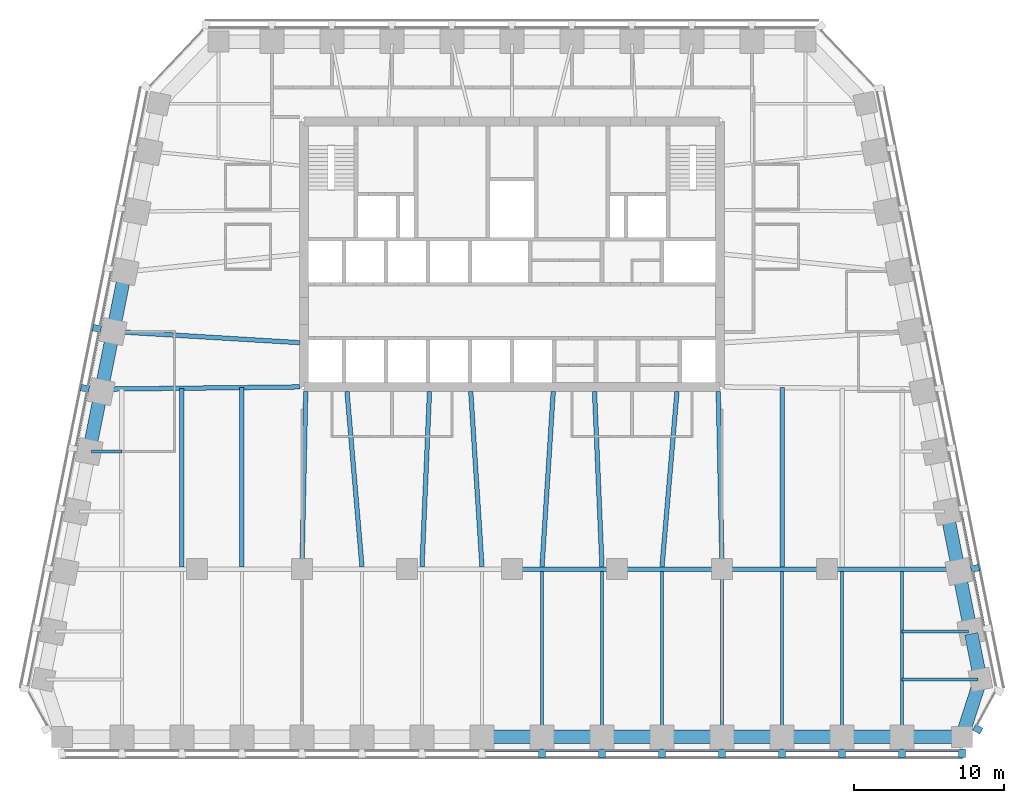
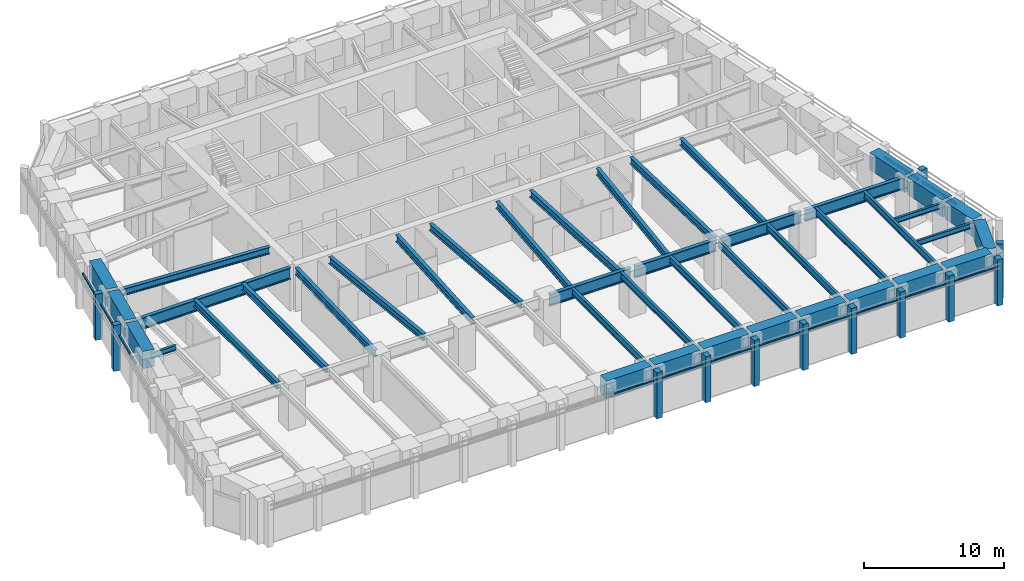
# One storey, part 2 of 10: 42 beams, 25 members, 4 elements without a shape of their own.
"""IFC4 building model written with IfcOpenShell, lengths in metres."""

from ifc_helpers import new_model, si_unit, direction, frame, origin, origin_2d, place, context, subcontext, project, spatial, rectangle, i_section, extrude, material, material_profile, profile_set, type_object, element, aggregate, save


model = new_model("IFC4")

# Units and contexts
model_context = context("Model", 3, precision=1e-05, world=origin(), true_north=direction((0.0, 1.0)))
body_context = subcontext(model_context, "Body", "Model", "MODEL_VIEW")
ifc_project = project(units=[si_unit("LENGTHUNIT", "METRE"), si_unit("AREAUNIT", "SQUARE_METRE"), si_unit("VOLUMEUNIT", "CUBIC_METRE"), si_unit("PLANEANGLEUNIT", "RADIAN"), si_unit("MASSUNIT", "GRAM", prefix="KILO")], contexts=[model_context])

# Site, building, storey
site_placement = place(None, origin())
site = spatial("IfcSite", under=ifc_project, at=site_placement, CompositionType="ELEMENT")
building_placement = place(site_placement, origin())
building = spatial("IfcBuilding", under=site, at=building_placement, Name="Isbrekke Arena Tower", CompositionType="ELEMENT")
storey_placement = place(building_placement, frame((0.0, 0.0, 218.0)))
storey = spatial("IfcBuildingStorey", under=building, at=storey_placement, Name="L50", CompositionType="ELEMENT", Elevation=218.0)

# Beams
ifc_material_1 = material(Name="Steel S355", Category="steel")
ifc_material_profile_1 = material_profile(ifc_material_1, i_section(OverallWidth=0.219970703125, OverallDepth=0.60009765625, WebThickness=0.011962890625, FlangeThickness=0.01904296875, FilletRadius=0.02392578125, at=origin_2d()), Name="IPE 600")
ifc_profile_set_1 = profile_set([ifc_material_profile_1], Name="Steel S355")
beam_type_1 = type_object("IfcBeamType", Name="B1 IPE 600", PredefinedType="BEAM", material=ifc_profile_set_1)
for number, where, z_axis, x_axis, name in (
    (1, (2.0, -17.02490234375, 3.550048828125), (0.0, 1.0, 0.0), (-1.0, 0.0, 0.0), "B1 beam S-S09 L50"),
    (2, (6.0, -17.02490234375, 3.550048828125), (0.0, 1.0, 0.0), (-1.0, 0.0, 0.0), "B1 beam S-S10 L50"),
    (3, (10.0, -17.02490234375, 3.550048828125), (0.0, 1.0, 0.0), (-1.0, 0.0, 0.0), "B1 beam S-S11 L50"),
):
    element("IfcBeam", number, at=place(storey_placement, frame(where, z_axis=z_axis, x_axis=x_axis)), inside=storey, type_object=beam_type_1, Name=name, PredefinedType="BEAM", context=body_context, shape_type="SweptSolid", body=[
        extrude(i_section(OverallWidth=0.219970703125, OverallDepth=0.60009765625, WebThickness=0.011962890625, FlangeThickness=0.01904296875, FilletRadius=0.02392578125, at=origin_2d()), origin(), (0.0, 0.0, 1.0), 10.8740234375),
    ])
beam_1_placement = place(storey_placement, frame((14.0, -17.02490234375, 3.550048828125), z_axis=(0.0, 1.0, 0.0), x_axis=(-1.0, 0.0, 0.0)))
element("IfcBeam", 4, at=beam_1_placement, inside=storey, type_object=beam_type_1, Name="B1 beam S-S12 L50", PredefinedType="BEAM", context=body_context, shape_type="SweptSolid", body=[
    extrude(i_section(OverallWidth=0.219970703125, OverallDepth=0.60009765625, WebThickness=0.011962890625, FlangeThickness=0.01904296875, FilletRadius=0.02392578125, at=origin_2d()), origin(), (0.0, 0.0, 1.0), 10.875),
])
for number, where, z_axis, x_axis, name in (
    (5, (18.0, -17.02490234375, 3.550048828125), (0.0, 1.0, 0.0), (-1.0, 0.0, 0.0), "B1 beam S-S13 L50"),
    (6, (22.0, -17.02490234375, 3.550048828125), (0.0, 1.0, 0.0), (-1.0, 0.0, 0.0), "B1 beam S-S14 L50"),
    (7, (26.0, -17.02490234375, 3.550048828125), (0.0, 1.0, 0.0), (-1.0, 0.0, 0.0), "B1 beam S-S15 L50"),
):
    element("IfcBeam", number, at=place(storey_placement, frame(where, z_axis=z_axis, x_axis=x_axis)), inside=storey, type_object=beam_type_1, Name=name, PredefinedType="BEAM", context=body_context, shape_type="SweptSolid", body=[
        extrude(i_section(OverallWidth=0.219970703125, OverallDepth=0.60009765625, WebThickness=0.011962890625, FlangeThickness=0.01904296875, FilletRadius=0.02392578125, at=origin_2d()), origin(), (0.0, 0.0, 1.0), 10.8740234375),
    ])
ifc_material_2 = material(Name="Steel S355", Category="steel")
ifc_material_profile_2 = material_profile(ifc_material_2, i_section(OverallWidth=0.18994140625, OverallDepth=0.449951171875, WebThickness=0.009521484375, FlangeThickness=0.0146484375, FilletRadius=0.02099609375, at=origin_2d()), Name="IPE 450")
ifc_profile_set_2 = profile_set([ifc_material_profile_2], Name="Steel S355")
beam_type_2 = type_object("IfcBeamType", Name="B2 IPE 450", PredefinedType="BEAM", material=ifc_profile_set_2)
beam_2_placement = place(storey_placement, frame((31.079345703125, -13.352783203125, 3.625), z_axis=(-1.0, 0.0, 0.0), x_axis=(0.0, -1.0, 0.0)))
element("IfcBeam", 8, at=beam_2_placement, inside=storey, type_object=beam_type_2, Name="B2 beam E-E01 L50", PredefinedType="BEAM", context=body_context, shape_type="SweptSolid", body=[
    extrude(i_section(OverallWidth=0.18994140625, OverallDepth=0.449951171875, WebThickness=0.009521484375, FlangeThickness=0.0146484375, FilletRadius=0.02099609375, at=origin_2d()), origin(), (0.0, 0.0, 1.0), 5.079345703125),
])
beam_3_placement = place(storey_placement, frame((30.44091796875, -10.161865234375, 3.625), z_axis=(-1.0, 0.0, 0.0), x_axis=(0.0, -1.0, 0.0)))
element("IfcBeam", 9, at=beam_3_placement, inside=storey, type_object=beam_type_2, Name="B2 beam E-E02 L50", PredefinedType="BEAM", context=body_context, shape_type="SweptSolid", body=[
    extrude(i_section(OverallWidth=0.18994140625, OverallDepth=0.449951171875, WebThickness=0.009521484375, FlangeThickness=0.0146484375, FilletRadius=0.02099609375, at=origin_2d()), origin(), (0.0, 0.0, 1.0), 4.44091796875),
])
beam_4_placement = place(storey_placement, frame((-28.041015625, 1.838134765625, 3.625), z_axis=(1.0, 0.0, 0.0), x_axis=(0.0, 1.0, 0.0)))
element("IfcBeam", 10, at=beam_4_placement, inside=storey, type_object=beam_type_2, Name="B2 beam E-W07 L50", PredefinedType="BEAM", context=body_context, shape_type="SweptSolid", body=[
    extrude(i_section(OverallWidth=0.18994140625, OverallDepth=0.449951171875, WebThickness=0.009521484375, FlangeThickness=0.0146484375, FilletRadius=0.02099609375, at=origin_2d()), origin(), (0.0, 0.0, 1.0), 2.041015625),
])
ifc_material_3 = material(Name="Steel S355", Category="steel")
ifc_material_profile_3 = material_profile(ifc_material_3, i_section(OverallWidth=0.300048828125, OverallDepth=0.60009765625, WebThickness=0.015380859375, FlangeThickness=0.030029296875, FilletRadius=0.027099609375, at=origin_2d()), Name="HEB 600")
ifc_profile_set_3 = profile_set([ifc_material_profile_3], Name="Steel S355")
beam_type_3 = type_object("IfcBeamType", Name="B7 HEB 600", PredefinedType="BEAM", material=ifc_profile_set_3)
beam_5_placement = place(storey_placement, frame((-22.0, -5.84912109375, 3.550048828125), z_axis=(0.0, 1.0, 0.0), x_axis=(-1.0, 0.0, 0.0)))
element("IfcBeam", 11, at=beam_5_placement, inside=storey, type_object=beam_type_3, Name="B7 beam C-M02 L50", PredefinedType="BEAM", context=body_context, shape_type="SweptSolid", body=[
    extrude(i_section(OverallWidth=0.300048828125, OverallDepth=0.60009765625, WebThickness=0.015380859375, FlangeThickness=0.030029296875, FilletRadius=0.027099609375, at=origin_2d()), origin(), (0.0, 0.0, 1.0), 11.91015625),
])
beam_6_placement = place(storey_placement, frame((-18.0, -5.84912109375, 3.550048828125), z_axis=(0.0, 1.0, 0.0), x_axis=(-1.0, 0.0, 0.0)))
element("IfcBeam", 12, at=beam_6_placement, inside=storey, type_object=beam_type_3, Name="B7 beam C-M03 L50", PredefinedType="BEAM", context=body_context, shape_type="SweptSolid", body=[
    extrude(i_section(OverallWidth=0.300048828125, OverallDepth=0.60009765625, WebThickness=0.015380859375, FlangeThickness=0.030029296875, FilletRadius=0.027099609375, at=origin_2d()), origin(), (0.0, 0.0, 1.0), 11.95556640625),
])
beam_7_placement = place(storey_placement, frame((-14.0, -5.8466796875, 3.550048828125), z_axis=(0.021368528218, 0.999771666933, 0.0), x_axis=(-0.999771666933, 0.021368528218, 0.0)))
element("IfcBeam", 13, at=beam_7_placement, inside=storey, type_object=beam_type_3, Name="B7 beam C-M04 L50", PredefinedType="BEAM", context=body_context, shape_type="SweptSolid", body=[
    extrude(i_section(OverallWidth=0.300048828125, OverallDepth=0.60009765625, WebThickness=0.015380859375, FlangeThickness=0.030029296875, FilletRadius=0.027099609375, at=origin_2d()), origin(), (0.0, 0.0, 1.0), 11.699462890625),
])
beam_8_placement = place(storey_placement, frame((-10.0009765625, -5.836181640625, 3.550048828125), z_axis=(-0.085176202372, 0.996365903948, 0.0), x_axis=(-0.996365903948, -0.085176202372, 0.0)))
element("IfcBeam", 14, at=beam_8_placement, inside=storey, type_object=beam_type_3, Name="B7 beam C-M05 L50", PredefinedType="BEAM", context=body_context, shape_type="SweptSolid", body=[
    extrude(i_section(OverallWidth=0.300048828125, OverallDepth=0.60009765625, WebThickness=0.015380859375, FlangeThickness=0.030029296875, FilletRadius=0.027099609375, at=origin_2d()), origin(), (0.0, 0.0, 1.0), 11.72900390625),
])
beam_9_placement = place(storey_placement, frame((-5.999755859375, -5.842529296875, 3.550048828125), z_axis=(0.042702124015, 0.999087848292, 0.0), x_axis=(-0.999087848292, 0.042702124015, 0.0)))
element("IfcBeam", 15, at=beam_9_placement, inside=storey, type_object=beam_type_3, Name="B7 beam C-M06 L50", PredefinedType="BEAM", context=body_context, shape_type="SweptSolid", body=[
    extrude(i_section(OverallWidth=0.300048828125, OverallDepth=0.60009765625, WebThickness=0.015380859375, FlangeThickness=0.030029296875, FilletRadius=0.027099609375, at=origin_2d()), origin(), (0.0, 0.0, 1.0), 11.703369140625),
])
for number, where, z_axis, x_axis, name in (
    (16, (-2.000732421875, -5.83935546875, 3.550048828125), (-0.063966475255, 0.997952047968, 0.0), (-0.997952047968, -0.063966475255, 0.0), "B7 beam C-M07 L50"),
    (17, (2.000732421875, -5.83935546875, 3.550048828125), (0.063966475255, 0.997952047968, 0.0), (-0.997952047968, 0.063966475255, 0.0), "B7 beam C-M08 L50"),
):
    element("IfcBeam", number, at=place(storey_placement, frame(where, z_axis=z_axis, x_axis=x_axis)), inside=storey, type_object=beam_type_3, Name=name, PredefinedType="BEAM", context=body_context, shape_type="SweptSolid", body=[
        extrude(i_section(OverallWidth=0.300048828125, OverallDepth=0.60009765625, WebThickness=0.015380859375, FlangeThickness=0.030029296875, FilletRadius=0.027099609375, at=origin_2d()), origin(), (0.0, 0.0, 1.0), 11.71337890625),
    ])
beam_10_placement = place(storey_placement, frame((5.999755859375, -5.842529296875, 3.550048828125), z_axis=(-0.042702124015, 0.999087848292, 0.0), x_axis=(-0.999087848292, -0.042702124015, 0.0)))
element("IfcBeam", 18, at=beam_10_placement, inside=storey, type_object=beam_type_3, Name="B7 beam C-M09 L50", PredefinedType="BEAM", context=body_context, shape_type="SweptSolid", body=[
    extrude(i_section(OverallWidth=0.300048828125, OverallDepth=0.60009765625, WebThickness=0.015380859375, FlangeThickness=0.030029296875, FilletRadius=0.027099609375, at=origin_2d()), origin(), (0.0, 0.0, 1.0), 11.703369140625),
])
beam_11_placement = place(storey_placement, frame((10.0009765625, -5.836181640625, 3.550048828125), z_axis=(0.085176202372, 0.996365903948, 0.0), x_axis=(-0.996365903948, 0.085176202372, 0.0)))
element("IfcBeam", 19, at=beam_11_placement, inside=storey, type_object=beam_type_3, Name="B7 beam C-M10 L50", PredefinedType="BEAM", context=body_context, shape_type="SweptSolid", body=[
    extrude(i_section(OverallWidth=0.300048828125, OverallDepth=0.60009765625, WebThickness=0.015380859375, FlangeThickness=0.030029296875, FilletRadius=0.027099609375, at=origin_2d()), origin(), (0.0, 0.0, 1.0), 11.72900390625),
])
beam_12_placement = place(storey_placement, frame((14.0, -5.8466796875, 3.550048828125), z_axis=(-0.021368528218, 0.999771666933, 0.0), x_axis=(-0.999771666933, -0.021368528218, 0.0)))
element("IfcBeam", 20, at=beam_12_placement, inside=storey, type_object=beam_type_3, Name="B7 beam C-M11 L50", PredefinedType="BEAM", context=body_context, shape_type="SweptSolid", body=[
    extrude(i_section(OverallWidth=0.300048828125, OverallDepth=0.60009765625, WebThickness=0.015380859375, FlangeThickness=0.030029296875, FilletRadius=0.027099609375, at=origin_2d()), origin(), (0.0, 0.0, 1.0), 11.699462890625),
])
beam_13_placement = place(storey_placement, frame((18.0, -5.84912109375, 3.550048828125), z_axis=(0.0, 1.0, 0.0), x_axis=(-1.0, 0.0, 0.0)))
element("IfcBeam", 21, at=beam_13_placement, inside=storey, type_object=beam_type_3, Name="B7 beam C-M12 L50", PredefinedType="BEAM", context=body_context, shape_type="SweptSolid", body=[
    extrude(i_section(OverallWidth=0.300048828125, OverallDepth=0.60009765625, WebThickness=0.015380859375, FlangeThickness=0.030029296875, FilletRadius=0.027099609375, at=origin_2d()), origin(), (0.0, 0.0, 1.0), 11.95556640625),
])
beam_14_placement = place(storey_placement, frame((-26.43212890625, 9.837646484375, 3.550048828125), z_axis=(0.998201854902, -0.059942112659, 0.0), x_axis=(0.059942112659, 0.998201854902, 0.0)))
element("IfcBeam", 22, at=beam_14_placement, inside=storey, type_object=beam_type_3, Name="B7 beam E-W05 L50", PredefinedType="BEAM", context=body_context, shape_type="SweptSolid", body=[
    extrude(i_section(OverallWidth=0.300048828125, OverallDepth=0.60009765625, WebThickness=0.015380859375, FlangeThickness=0.030029296875, FilletRadius=0.027099609375, at=origin_2d()), origin(), (0.0, 0.0, 1.0), 12.304443359375),
])

# Curtain wall, members
ifc_material_4 = material(Name="Glazed aluminium curtain wall", Category="aluminium")
curtain_wall_type = type_object("IfcCurtainWallType", Name="CWH TOWER CURTAIN WALL HIGH ZONE", PredefinedType="USERDEFINED", material=ifc_material_4)
curtain_wall_1_placement = place(storey_placement, origin())
curtain_wall_1 = element("IfcCurtainWall", 23, at=curtain_wall_1_placement, inside=storey, type_object=curtain_wall_type, Name="CWH curtain wall L50-S", ObjectType="TOWER CURTAIN WALL HIGH ZONE", PredefinedType="USERDEFINED")
ifc_material_5 = material(Name="Aluminium mullion, pale brick slip cladding", Category="masonry")
ifc_material_profile_4 = material_profile(ifc_material_5, rectangle(XDim=0.449951171875, YDim=0.550048828125, at=origin_2d()), Name="PIER 450X550")
ifc_profile_set_4 = profile_set([ifc_material_profile_4], Name="Aluminium mullion, pale brick slip cladding")
member_type_1 = type_object("IfcMemberType", Name="CWH-M PIER MULLION 450 x 550", PredefinedType="MULLION", material=ifc_profile_set_4)
member_1_placement = place(storey_placement, frame((2.0, -18.27490234375, 0.0), z_axis=(0.0, 0.0, 1.0), x_axis=(1.0, 0.0, 0.0)))
member_1 = element("IfcMember", 24, at=member_1_placement, type_object=member_type_1, Name="CWH-M mullion 9", PredefinedType="MULLION", context=body_context, shape_type="SweptSolid", body=[
    extrude(rectangle(XDim=0.449951171875, YDim=0.550048828125, at=origin_2d()), origin(), (0.0, 0.0, 1.0), 4.0),
])
member_2_placement = place(storey_placement, frame((6.0, -18.27490234375, 0.0), z_axis=(0.0, 0.0, 1.0), x_axis=(1.0, 0.0, 0.0)))
member_2 = element("IfcMember", 25, at=member_2_placement, type_object=member_type_1, Name="CWH-M mullion 10", PredefinedType="MULLION", context=body_context, shape_type="SweptSolid", body=[
    extrude(rectangle(XDim=0.449951171875, YDim=0.550048828125, at=origin_2d()), origin(), (0.0, 0.0, 1.0), 4.0),
])
member_3_placement = place(storey_placement, frame((10.0, -18.27490234375, 0.0), z_axis=(0.0, 0.0, 1.0), x_axis=(1.0, 0.0, 0.0)))
member_3 = element("IfcMember", 26, at=member_3_placement, type_object=member_type_1, Name="CWH-M mullion 11", PredefinedType="MULLION", context=body_context, shape_type="SweptSolid", body=[
    extrude(rectangle(XDim=0.449951171875, YDim=0.550048828125, at=origin_2d()), origin(), (0.0, 0.0, 1.0), 4.0),
])
member_4_placement = place(storey_placement, frame((14.0, -18.27490234375, 0.0), z_axis=(0.0, 0.0, 1.0), x_axis=(1.0, 0.0, 0.0)))
member_4 = element("IfcMember", 27, at=member_4_placement, type_object=member_type_1, Name="CWH-M mullion 12", PredefinedType="MULLION", context=body_context, shape_type="SweptSolid", body=[
    extrude(rectangle(XDim=0.449951171875, YDim=0.550048828125, at=origin_2d()), origin(), (0.0, 0.0, 1.0), 4.0),
])
member_5_placement = place(storey_placement, frame((18.0, -18.27490234375, 0.0), z_axis=(0.0, 0.0, 1.0), x_axis=(1.0, 0.0, 0.0)))
member_5 = element("IfcMember", 28, at=member_5_placement, type_object=member_type_1, Name="CWH-M mullion 13", PredefinedType="MULLION", context=body_context, shape_type="SweptSolid", body=[
    extrude(rectangle(XDim=0.449951171875, YDim=0.550048828125, at=origin_2d()), origin(), (0.0, 0.0, 1.0), 4.0),
])
member_6_placement = place(storey_placement, frame((22.0, -18.27490234375, 0.0), z_axis=(0.0, 0.0, 1.0), x_axis=(1.0, 0.0, 0.0)))
member_6 = element("IfcMember", 29, at=member_6_placement, type_object=member_type_1, Name="CWH-M mullion 14", PredefinedType="MULLION", context=body_context, shape_type="SweptSolid", body=[
    extrude(rectangle(XDim=0.449951171875, YDim=0.550048828125, at=origin_2d()), origin(), (0.0, 0.0, 1.0), 4.0),
])
member_7_placement = place(storey_placement, frame((26.0, -18.27490234375, 0.0), z_axis=(0.0, 0.0, 1.0), x_axis=(1.0, 0.0, 0.0)))
member_7 = element("IfcMember", 30, at=member_7_placement, type_object=member_type_1, Name="CWH-M mullion 15", PredefinedType="MULLION", context=body_context, shape_type="SweptSolid", body=[
    extrude(rectangle(XDim=0.449951171875, YDim=0.550048828125, at=origin_2d()), origin(), (0.0, 0.0, 1.0), 4.0),
])
member_8_placement = place(storey_placement, frame((30.0, -18.27490234375, 0.0), z_axis=(0.0, 0.0, 1.0), x_axis=(1.0, 0.0, 0.0)))
member_8 = element("IfcMember", 31, at=member_8_placement, type_object=member_type_1, Name="CWH-M mullion 16", PredefinedType="MULLION", context=body_context, shape_type="SweptSolid", body=[
    extrude(rectangle(XDim=0.449951171875, YDim=0.550048828125, at=origin_2d()), origin(), (0.0, 0.0, 1.0), 4.0),
])

# Curtain wall, member
curtain_wall_2_placement = place(storey_placement, origin())
curtain_wall_2 = element("IfcCurtainWall", 32, at=curtain_wall_2_placement, inside=storey, type_object=curtain_wall_type, Name="CWH curtain wall L50-SE", ObjectType="TOWER CURTAIN WALL HIGH ZONE", PredefinedType="USERDEFINED")
member_9_placement = place(storey_placement, frame((31.047119140625, -16.666748046875, 0.0), z_axis=(0.0, 0.0, 1.0), x_axis=(0.481918749773, 0.876215908676, 0.0)))
member_9 = element("IfcMember", 33, at=member_9_placement, type_object=member_type_1, Name="CWH-M mullion 1", PredefinedType="MULLION", context=body_context, shape_type="SweptSolid", body=[
    extrude(rectangle(XDim=0.449951171875, YDim=0.550048828125, at=origin_2d()), origin(), (0.0, 0.0, 1.0), 4.0),
])
aggregate(curtain_wall_2, [member_9])

curtain_wall_3_placement = place(storey_placement, origin())
curtain_wall_3 = element("IfcCurtainWall", 34, at=curtain_wall_3_placement, inside=storey, type_object=curtain_wall_type, Name="CWH curtain wall L50-E", ObjectType="TOWER CURTAIN WALL HIGH ZONE", PredefinedType="USERDEFINED")
member_10_placement = place(storey_placement, frame((30.86962890625, -5.946044921875, 0.0), z_axis=(0.0, 0.0, 1.0), x_axis=(-0.196116135138, 0.980580675691, 0.0)))
member_10 = element("IfcMember", 35, at=member_10_placement, type_object=member_type_1, Name="CWH-M mullion 2", PredefinedType="MULLION", context=body_context, shape_type="SweptSolid", body=[
    extrude(rectangle(XDim=0.449951171875, YDim=0.550048828125, at=origin_2d()), origin(), (0.0, 0.0, 1.0), 4.0),
])

# Curtain wall, members
curtain_wall_4_placement = place(storey_placement, origin())
curtain_wall_4 = element("IfcCurtainWall", 36, at=curtain_wall_4_placement, inside=storey, type_object=curtain_wall_type, Name="CWH curtain wall L50-W", ObjectType="TOWER CURTAIN WALL HIGH ZONE", PredefinedType="USERDEFINED")
member_11_placement = place(storey_placement, frame((-27.669677734375, 10.053955078125, 0.0), z_axis=(0.0, 0.0, 1.0), x_axis=(-0.196116135138, -0.980580675691, 0.0)))
member_11 = element("IfcMember", 37, at=member_11_placement, type_object=member_type_1, Name="CWH-M mullion 4", PredefinedType="MULLION", context=body_context, shape_type="SweptSolid", body=[
    extrude(rectangle(XDim=0.449951171875, YDim=0.550048828125, at=origin_2d()), origin(), (0.0, 0.0, 1.0), 4.0),
])
member_12_placement = place(storey_placement, frame((-28.4697265625, 6.053955078125, 0.0), z_axis=(0.0, 0.0, 1.0), x_axis=(-0.196116135138, -0.980580675691, 0.0)))
member_12 = element("IfcMember", 38, at=member_12_placement, type_object=member_type_1, Name="CWH-M mullion 5", PredefinedType="MULLION", context=body_context, shape_type="SweptSolid", body=[
    extrude(rectangle(XDim=0.449951171875, YDim=0.550048828125, at=origin_2d()), origin(), (0.0, 0.0, 1.0), 4.0),
])

# Member
ifc_material_6 = material(Name="Aluminium transom", Category="aluminium")
ifc_material_profile_5 = material_profile(ifc_material_6, rectangle(XDim=0.1201171875, YDim=0.199951171875, at=origin_2d()), Name="TRANSOM 120X200")
ifc_profile_set_5 = profile_set([ifc_material_profile_5], Name="Aluminium transom")
member_type_2 = type_object("IfcMemberType", Name="CWH-T TRANSOM 120 x 200", PredefinedType="USERDEFINED", material=ifc_profile_set_5)
member_13_placement = place(storey_placement, frame((-1.77490234375, -18.10009765625, 3.0), z_axis=(1.0, 0.0, 0.0), x_axis=(0.0, 1.0, 0.0)))
member_13 = element("IfcMember", 39, at=member_13_placement, type_object=member_type_2, Name="CWH-T transom 8", ObjectType="TRANSOM", PredefinedType="USERDEFINED", context=body_context, shape_type="SweptSolid", body=[
    extrude(rectangle(XDim=0.1201171875, YDim=0.199951171875, at=origin_2d()), origin(), (0.0, 0.0, 1.0), 3.5498046875),
])

member_14_placement = place(storey_placement, frame((2.22509765625, -18.10009765625, 3.0), z_axis=(1.0, 0.0, 0.0), x_axis=(0.0, 1.0, 0.0)))
member_14 = element("IfcMember", 40, at=member_14_placement, type_object=member_type_2, Name="CWH-T transom 9", ObjectType="TRANSOM", PredefinedType="USERDEFINED", context=body_context, shape_type="SweptSolid", body=[
    extrude(rectangle(XDim=0.1201171875, YDim=0.199951171875, at=origin_2d()), origin(), (0.0, 0.0, 1.0), 3.5498046875),
])

member_15_placement = place(storey_placement, frame((6.22509765625, -18.10009765625, 3.0), z_axis=(1.0, 0.0, 0.0), x_axis=(0.0, 1.0, 0.0)))
member_15 = element("IfcMember", 41, at=member_15_placement, type_object=member_type_2, Name="CWH-T transom 10", ObjectType="TRANSOM", PredefinedType="USERDEFINED", context=body_context, shape_type="SweptSolid", body=[
    extrude(rectangle(XDim=0.1201171875, YDim=0.199951171875, at=origin_2d()), origin(), (0.0, 0.0, 1.0), 3.5498046875),
])

member_16_placement = place(storey_placement, frame((10.22509765625, -18.10009765625, 3.0), z_axis=(1.0, 0.0, 0.0), x_axis=(0.0, 1.0, 0.0)))
member_16 = element("IfcMember", 42, at=member_16_placement, type_object=member_type_2, Name="CWH-T transom 11", ObjectType="TRANSOM", PredefinedType="USERDEFINED", context=body_context, shape_type="SweptSolid", body=[
    extrude(rectangle(XDim=0.1201171875, YDim=0.199951171875, at=origin_2d()), origin(), (0.0, 0.0, 1.0), 3.5498046875),
])

member_17_placement = place(storey_placement, frame((14.22509765625, -18.10009765625, 3.0), z_axis=(1.0, 0.0, 0.0), x_axis=(0.0, 1.0, 0.0)))
member_17 = element("IfcMember", 43, at=member_17_placement, type_object=member_type_2, Name="CWH-T transom 12", ObjectType="TRANSOM", PredefinedType="USERDEFINED", context=body_context, shape_type="SweptSolid", body=[
    extrude(rectangle(XDim=0.1201171875, YDim=0.199951171875, at=origin_2d()), origin(), (0.0, 0.0, 1.0), 3.5498046875),
])

member_18_placement = place(storey_placement, frame((18.22509765625, -18.10009765625, 3.0), z_axis=(1.0, 0.0, 0.0), x_axis=(0.0, 1.0, 0.0)))
member_18 = element("IfcMember", 44, at=member_18_placement, type_object=member_type_2, Name="CWH-T transom 13", ObjectType="TRANSOM", PredefinedType="USERDEFINED", context=body_context, shape_type="SweptSolid", body=[
    extrude(rectangle(XDim=0.1201171875, YDim=0.199951171875, at=origin_2d()), origin(), (0.0, 0.0, 1.0), 3.5498046875),
])

member_19_placement = place(storey_placement, frame((22.22509765625, -18.10009765625, 3.0), z_axis=(1.0, 0.0, 0.0), x_axis=(0.0, 1.0, 0.0)))
member_19 = element("IfcMember", 45, at=member_19_placement, type_object=member_type_2, Name="CWH-T transom 14", ObjectType="TRANSOM", PredefinedType="USERDEFINED", context=body_context, shape_type="SweptSolid", body=[
    extrude(rectangle(XDim=0.1201171875, YDim=0.199951171875, at=origin_2d()), origin(), (0.0, 0.0, 1.0), 3.5498046875),
])

member_20_placement = place(storey_placement, frame((26.22509765625, -18.10009765625, 3.0), z_axis=(1.0, 0.0, 0.0), x_axis=(0.0, 1.0, 0.0)))
member_20 = element("IfcMember", 46, at=member_20_placement, type_object=member_type_2, Name="CWH-T transom 15", ObjectType="TRANSOM", PredefinedType="USERDEFINED", context=body_context, shape_type="SweptSolid", body=[
    extrude(rectangle(XDim=0.1201171875, YDim=0.199951171875, at=origin_2d()), origin(), (0.0, 0.0, 1.0), 3.5498046875),
])

aggregate(curtain_wall_1, [member_1, member_2, member_3, member_4, member_5, member_6, member_7, member_8, member_13, member_14, member_15, member_16, member_17, member_18, member_19, member_20])

member_21_placement = place(storey_placement, frame((31.453857421875, -9.759765625, 3.0), z_axis=(-0.196090262229, 0.980585849918, 0.0), x_axis=(-0.980585849918, -0.196090262229, 0.0)))
member_21 = element("IfcMember", 47, at=member_21_placement, type_object=member_type_2, Name="CWH-T transom 2", ObjectType="TRANSOM", PredefinedType="USERDEFINED", context=body_context, shape_type="SweptSolid", body=[
    extrude(rectangle(XDim=0.1201171875, YDim=0.199951171875, at=origin_2d()), origin(), (0.0, 0.0, 1.0), 3.62939453125),
])

member_22_placement = place(storey_placement, frame((30.654052734375, -5.759765625, 3.0), z_axis=(-0.196154943734, 0.980572913173, 0.0), x_axis=(-0.980572913173, -0.196154943734, 0.0)))
member_22 = element("IfcMember", 48, at=member_22_placement, type_object=member_type_2, Name="CWH-T transom 3", ObjectType="TRANSOM", PredefinedType="USERDEFINED", context=body_context, shape_type="SweptSolid", body=[
    extrude(rectangle(XDim=0.1201171875, YDim=0.199951171875, at=origin_2d()), origin(), (0.0, 0.0, 1.0), 3.62939453125),
])

aggregate(curtain_wall_3, [member_10, member_21, member_22])

member_23_placement = place(storey_placement, frame((-26.7421875, 13.799072265625, 3.0), z_axis=(-0.196090262229, -0.980585849918, 0.0), x_axis=(0.980585849918, -0.196090262229, 0.0)))
member_23 = element("IfcMember", 49, at=member_23_placement, type_object=member_type_2, Name="CWH-T transom 4", ObjectType="TRANSOM", PredefinedType="USERDEFINED", context=body_context, shape_type="SweptSolid", body=[
    extrude(rectangle(XDim=0.1201171875, YDim=0.199951171875, at=origin_2d()), origin(), (0.0, 0.0, 1.0), 3.62939453125),
])

member_24_placement = place(storey_placement, frame((-27.542236328125, 9.799072265625, 3.0), z_axis=(-0.196090262229, -0.980585849918, 0.0), x_axis=(0.980585849918, -0.196090262229, 0.0)))
member_24 = element("IfcMember", 50, at=member_24_placement, type_object=member_type_2, Name="CWH-T transom 5", ObjectType="TRANSOM", PredefinedType="USERDEFINED", context=body_context, shape_type="SweptSolid", body=[
    extrude(rectangle(XDim=0.1201171875, YDim=0.199951171875, at=origin_2d()), origin(), (0.0, 0.0, 1.0), 3.62939453125),
])

member_25_placement = place(storey_placement, frame((-28.34228515625, 5.799072265625, 3.0), z_axis=(-0.196090262229, -0.980585849918, 0.0), x_axis=(0.980585849918, -0.196090262229, 0.0)))
member_25 = element("IfcMember", 51, at=member_25_placement, type_object=member_type_2, Name="CWH-T transom 6", ObjectType="TRANSOM", PredefinedType="USERDEFINED", context=body_context, shape_type="SweptSolid", body=[
    extrude(rectangle(XDim=0.1201171875, YDim=0.199951171875, at=origin_2d()), origin(), (0.0, 0.0, 1.0), 3.62939453125),
])

aggregate(curtain_wall_4, [member_11, member_12, member_23, member_24, member_25])

# Beams
ifc_material_7 = material(Name="Steel S355", Category="steel")
ifc_material_profile_6 = material_profile(ifc_material_7, i_section(OverallWidth=0.302001953125, OverallDepth=1.008056640625, WebThickness=0.02099609375, FlangeThickness=0.0400390625, FilletRadius=0.030029296875, at=origin_2d()), Name="HEM 1000")
ifc_profile_set_6 = profile_set([ifc_material_profile_6], Name="Steel S355")
beam_type_4 = type_object("IfcBeamType", Name="G1 HEM 1000", PredefinedType="BEAM", material=ifc_profile_set_6)
for number, where, z_axis, x_axis, name in (
    (52, (0.14990234375, -6.0, 3.345947265625), (1.0, 0.0, 0.0), (0.0, 1.0, 0.0), "G1 beam G1-05 L50"),
    (53, (7.14990234375, -6.0, 3.345947265625), (1.0, 0.0, 0.0), (0.0, 1.0, 0.0), "G1 beam G1-06 L50"),
    (54, (14.14990234375, -6.0, 3.345947265625), (1.0, 0.0, 0.0), (0.0, 1.0, 0.0), "G1 beam G1-07 L50"),
):
    element("IfcBeam", number, at=place(storey_placement, frame(where, z_axis=z_axis, x_axis=x_axis)), inside=storey, type_object=beam_type_4, Name=name, PredefinedType="BEAM", context=body_context, shape_type="SweptSolid", body=[
        extrude(i_section(OverallWidth=0.302001953125, OverallDepth=1.008056640625, WebThickness=0.02099609375, FlangeThickness=0.0400390625, FilletRadius=0.030029296875, at=origin_2d()), origin(), (0.0, 0.0, 1.0), 6.7001953125),
    ])
beam_15_placement = place(storey_placement, frame((21.14990234375, -6.0, 3.345947265625), z_axis=(1.0, 0.0, 0.0), x_axis=(0.0, 1.0, 0.0)))
element("IfcBeam", 55, at=beam_15_placement, inside=storey, type_object=beam_type_4, Name="G1 beam G1-08 L50", PredefinedType="BEAM", context=body_context, shape_type="SweptSolid", body=[
    extrude(i_section(OverallWidth=0.302001953125, OverallDepth=1.008056640625, WebThickness=0.02099609375, FlangeThickness=0.0400390625, FilletRadius=0.030029296875, at=origin_2d()), origin(), (0.0, 0.0, 1.0), 8.64111328125),
])
ifc_material_8 = material(Name="Steel S355", Category="steel")
ifc_material_profile_7 = material_profile(ifc_material_8, i_section(OverallWidth=0.302001953125, OverallDepth=1.008056640625, WebThickness=0.02099609375, FlangeThickness=0.0400390625, FilletRadius=0.030029296875, at=origin_2d()), Name="HEM 1000")
ifc_profile_set_7 = profile_set([ifc_material_profile_7], Name="Steel S355")
beam_type_5 = type_object("IfcBeamType", Name="G2 HEM 1000", PredefinedType="BEAM", material=ifc_profile_set_7)
beam_16_placement = place(storey_placement, frame((-14.14990234375, 6.14990234375, 3.345947265625), z_axis=(-0.999935908299, -0.011321629528, 0.0), x_axis=(0.011321629528, -0.999935908299, 0.0)))
element("IfcBeam", 56, at=beam_16_placement, inside=storey, type_object=beam_type_5, Name="G2 beam G2-W L50", PredefinedType="BEAM", context=body_context, shape_type="SweptSolid", body=[
    extrude(i_section(OverallWidth=0.302001953125, OverallDepth=1.008056640625, WebThickness=0.02099609375, FlangeThickness=0.0400390625, FilletRadius=0.030029296875, at=origin_2d()), origin(), (0.0, 0.0, 1.0), 13.240234375),
])
ifc_material_9 = material(Name="Concrete B65 (C65/80)", Category="concrete")
ifc_material_profile_8 = material_profile(ifc_material_9, rectangle(XDim=0.89990234375, YDim=1.5, at=origin_2d()), Name="RC 900x1500")
ifc_profile_set_8 = profile_set([ifc_material_profile_8], Name="Concrete B65 (C65/80)")
beam_type_6 = type_object("IfcBeamType", Name="SB3 RC 900 x 1500", PredefinedType="SPANDREL", material=ifc_profile_set_8)
for number, where, z_axis, x_axis, name in (
    (57, (-1.85009765625, -17.175048828125, 3.25), (1.0, 0.0, 0.0), (0.0, 1.0, 0.0), "SB3 spandrel S08-S09 L50"),
    (58, (2.14990234375, -17.175048828125, 3.25), (1.0, 0.0, 0.0), (0.0, 1.0, 0.0), "SB3 spandrel S09-S10 L50"),
    (59, (6.14990234375, -17.175048828125, 3.25), (1.0, 0.0, 0.0), (0.0, 1.0, 0.0), "SB3 spandrel S10-S11 L50"),
    (60, (10.14990234375, -17.175048828125, 3.25), (1.0, 0.0, 0.0), (0.0, 1.0, 0.0), "SB3 spandrel S11-S12 L50"),
    (61, (14.14990234375, -17.175048828125, 3.25), (1.0, 0.0, 0.0), (0.0, 1.0, 0.0), "SB3 spandrel S12-S13 L50"),
    (62, (18.14990234375, -17.175048828125, 3.25), (1.0, 0.0, 0.0), (0.0, 1.0, 0.0), "SB3 spandrel S13-S14 L50"),
    (63, (22.14990234375, -17.175048828125, 3.25), (1.0, 0.0, 0.0), (0.0, 1.0, 0.0), "SB3 spandrel S14-S15 L50"),
    (64, (26.14990234375, -17.175048828125, 3.25), (1.0, 0.0, 0.0), (0.0, 1.0, 0.0), "SB3 spandrel S15-S16 L50"),
):
    element("IfcBeam", number, at=place(storey_placement, frame(where, z_axis=z_axis, x_axis=x_axis)), inside=storey, type_object=beam_type_6, Name=name, PredefinedType="SPANDREL", context=body_context, shape_type="SweptSolid", body=[
        extrude(rectangle(XDim=0.89990234375, YDim=1.5, at=origin_2d()), origin(), (0.0, 0.0, 1.0), 3.7001953125),
    ])
beam_17_placement = place(storey_placement, frame((30.0458984375, -17.0322265625, 3.25), z_axis=(0.306175101476, 0.951975213562, 0.0), x_axis=(-0.951975213562, 0.306175101476, 0.0)))
element("IfcBeam", 65, at=beam_17_placement, inside=storey, type_object=beam_type_6, Name="SB3 spandrel S16-E01 L50", PredefinedType="SPANDREL", context=body_context, shape_type="SweptSolid", body=[
    extrude(rectangle(XDim=0.89990234375, YDim=1.5, at=origin_2d()), origin(), (0.0, 0.0, 1.0), 3.715087890625),
])
beam_18_placement = place(storey_placement, frame((31.19970703125, -13.205810546875, 3.25), z_axis=(-0.196100243168, 0.980583853951, 0.0), x_axis=(-0.980583853951, -0.196100243168, 0.0)))
element("IfcBeam", 66, at=beam_18_placement, inside=storey, type_object=beam_type_6, Name="SB3 spandrel E01-E02 L50", PredefinedType="SPANDREL", context=body_context, shape_type="SweptSolid", body=[
    extrude(rectangle(XDim=0.89990234375, YDim=1.5, at=origin_2d()), origin(), (0.0, 0.0, 1.0), 2.954345703125),
])
beam_19_placement = place(storey_placement, frame((30.5615234375, -10.0146484375, 3.25), z_axis=(-0.1960664412, 0.980590613169, 0.0), x_axis=(-0.980590613169, -0.1960664412, 0.0)))
element("IfcBeam", 67, at=beam_19_placement, inside=storey, type_object=beam_type_6, Name="SB3 spandrel E02-E03 L50", PredefinedType="SPANDREL", context=body_context, shape_type="SweptSolid", body=[
    extrude(rectangle(XDim=0.89990234375, YDim=1.5, at=origin_2d()), origin(), (0.0, 0.0, 1.0), 3.779052734375),
])
beam_20_placement = place(storey_placement, frame((29.76171875, -6.0146484375, 3.25), z_axis=(-0.196128558387, 0.980578190959, 0.0), x_axis=(-0.980578190959, -0.196128558387, 0.0)))
element("IfcBeam", 68, at=beam_20_placement, inside=storey, type_object=beam_type_6, Name="SB3 spandrel E03-E04 L50", PredefinedType="SPANDREL", context=body_context, shape_type="SweptSolid", body=[
    extrude(rectangle(XDim=0.89990234375, YDim=1.5, at=origin_2d()), origin(), (0.0, 0.0, 1.0), 3.779296875),
])
beam_21_placement = place(storey_placement, frame((-25.820556640625, 13.691162109375, 3.25), z_axis=(-0.1960664412, -0.980590613169, 0.0), x_axis=(0.980590613169, -0.1960664412, 0.0)))
element("IfcBeam", 69, at=beam_21_placement, inside=storey, type_object=beam_type_6, Name="SB3 spandrel W04-W05 L50", PredefinedType="SPANDREL", context=body_context, shape_type="SweptSolid", body=[
    extrude(rectangle(XDim=0.89990234375, YDim=1.5, at=origin_2d()), origin(), (0.0, 0.0, 1.0), 3.779052734375),
])
for number, where, z_axis, x_axis, name in (
    (70, (-26.620361328125, 9.691162109375, 3.25), (-0.196128558387, -0.980578190959, 0.0), (0.980578190959, -0.196128558387, 0.0), "SB3 spandrel W05-W06 L50"),
    (71, (-27.42041015625, 5.691162109375, 3.25), (-0.196128558387, -0.980578190959, 0.0), (0.980578190959, -0.196128558387, 0.0), "SB3 spandrel W06-W07 L50"),
):
    element("IfcBeam", number, at=place(storey_placement, frame(where, z_axis=z_axis, x_axis=x_axis)), inside=storey, type_object=beam_type_6, Name=name, PredefinedType="SPANDREL", context=body_context, shape_type="SweptSolid", body=[
        extrude(rectangle(XDim=0.89990234375, YDim=1.5, at=origin_2d()), origin(), (0.0, 0.0, 1.0), 3.779296875),
    ])

save(model, "model.ifc")
